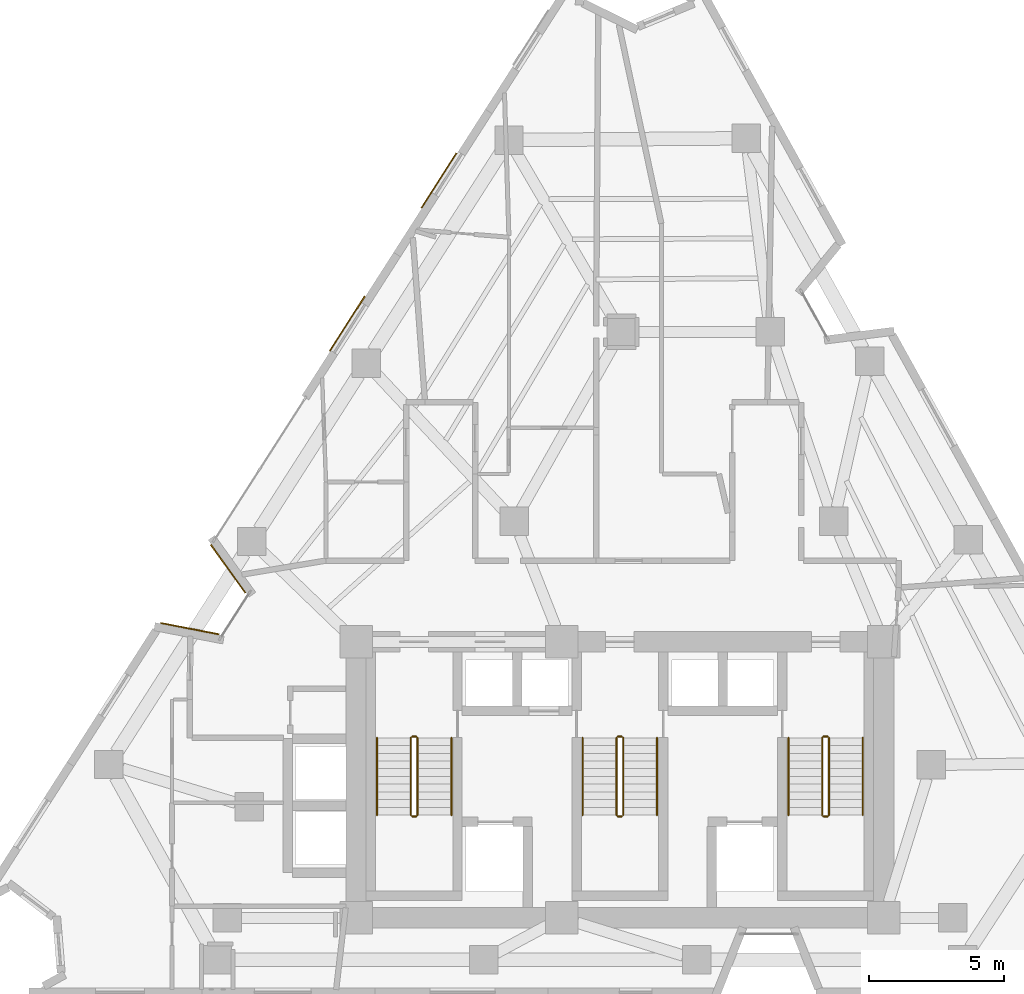
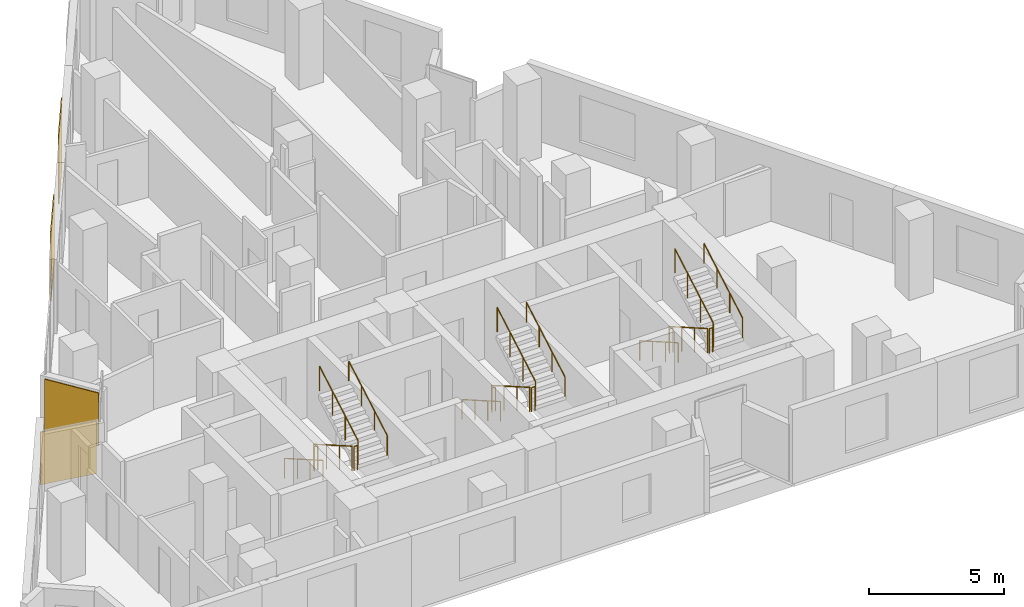
# One storey, part 10 of 11: 18 railings, 4 coverings.
"""IFC4 building model written with IfcOpenShell, lengths in metres."""

from ifc_helpers import new_model, si_unit, direction, frame, origin, origin_2d, place, context, subcontext, project, spatial, rectangle, circle, extrude, material, layer, layer_set, type_object, element, save


model = new_model("IFC4")

# Units and contexts
model_context = context("Model", 3, precision=1e-05, world=origin(), true_north=direction((0.0, 1.0)))
body_context = subcontext(model_context, "Body", "Model", "MODEL_VIEW")
ifc_project = project(units=[si_unit("LENGTHUNIT", "METRE"), si_unit("AREAUNIT", "SQUARE_METRE"), si_unit("VOLUMEUNIT", "CUBIC_METRE"), si_unit("PLANEANGLEUNIT", "RADIAN"), si_unit("MASSUNIT", "GRAM", prefix="KILO")], contexts=[model_context])

# Site, building, storey
site_placement = place(None, origin())
site = spatial("IfcSite", under=ifc_project, at=site_placement, CompositionType="ELEMENT")
building_placement = place(site_placement, origin())
building = spatial("IfcBuilding", under=site, at=building_placement, Name="Almagre Mirador Tower", CompositionType="ELEMENT")
storey_placement = place(building_placement, frame((0.0, 0.0, 157.199951171875)))
storey = spatial("IfcBuildingStorey", under=building, at=storey_placement, Name="L40", CompositionType="ELEMENT", Elevation=157.199951171875)

# Coverings
ifc_material_1 = material(Name="Almagre terracotta architectural cladding", Category="masonry")
ifc_layer = layer(ifc_material_1, 0.044921875)
ifc_layer_set = layer_set([ifc_layer], Name="Almagre terracotta architectural cladding")
covering_type = type_object("IfcCoveringType", Name="COV-CLAD-ALMAGRE", PredefinedType="CLADDING", material=ifc_layer_set)
covering_1_placement = place(storey_placement, frame((21.409912109375, 15.2353515625, 0.10009765625), z_axis=(0.0, 0.0, 1.0), x_axis=(0.981760154029, -0.190123643878, 0.0)))
element("IfcCovering", 1, at=covering_1_placement, inside=storey, type_object=covering_type, Name="L40 almagre terracotta pier cladding", PredefinedType="CLADDING", context=body_context, shape_type="SweptSolid", body=[
    extrude(rectangle(XDim=2.194091796875, YDim=0.044921875, at=origin_2d()), origin(), (0.0, 0.0, 1.0), 2.375),
])
covering_2_placement = place(storey_placement, frame((22.826416015625, 17.44482421875, 0.10009765625), z_axis=(0.0, 0.0, 1.0), x_axis=(-0.583186817535, 0.812338067466, 0.0)))
element("IfcCovering", 2, at=covering_2_placement, inside=storey, type_object=covering_type, Name="L40 almagre terracotta pier cladding", PredefinedType="CLADDING", context=body_context, shape_type="SweptSolid", body=[
    extrude(rectangle(XDim=2.193115234375, YDim=0.044921875, at=origin_2d()), origin(), (0.0, 0.0, 1.0), 2.375),
])
for number, where, z_axis, x_axis, name in (
    (3, (27.22802734375, 26.50830078125, 0.10009765625), (0.0, 0.0, 1.0), (0.539505758171, 0.841981910079, 0.0), "L40 almagre terracotta pier cladding"),
    (4, (30.615478515625, 31.794921875, 0.10009765625), (0.0, 0.0, 1.0), (0.539505758171, 0.841981910079, 0.0), "L40 almagre terracotta pier cladding"),
):
    element("IfcCovering", number, at=place(storey_placement, frame(where, z_axis=z_axis, x_axis=x_axis)), inside=storey, type_object=covering_type, Name=name, PredefinedType="CLADDING", context=body_context, shape_type="SweptSolid", body=[
        extrude(rectangle(XDim=2.39990234375, YDim=0.044921875, at=origin_2d()), origin(), (0.0, 0.0, 1.0), 3.14990234375),
    ])

# Railings
ifc_material_2 = material(Name="Painted galvanized steel", Category="steel")
railing_type_1 = type_object("IfcRailingType", Name="RLG-GRD-1100", PredefinedType="GUARDRAIL", material=ifc_material_2)
railing_1_placement = place(storey_placement, frame((29.574951171875, 11.199951171875, 0.16357421875)))
element("IfcRailing", 5, at=railing_1_placement, inside=storey, type_object=railing_type_1, Name="L40 ST-1 stair guard 1", PredefinedType="GUARDRAIL", context=body_context, shape_type="SweptSolid", body=[
    extrude(circle(Radius=0.02392578125, at=origin_2d()), frame((0.0, 0.0, 1.09619140625), z_axis=(0.0, -0.867194282975, 0.497969954491), x_axis=(1.0, 0.0, 0.0)), (0.0, 0.0, 1.0), 3.286376953125),
    extrude(circle(Radius=0.02099609375, at=origin_2d()), origin(), (0.0, 0.0, 1.0), 1.072021484375),
    extrude(circle(Radius=0.02099609375, at=origin_2d()), frame((0.0, -0.949951171875, 0.54541015625)), (0.0, 0.0, 1.0), 1.072021484375),
    extrude(circle(Radius=0.02099609375, at=origin_2d()), frame((0.0, -1.89990234375, 1.091064453125)), (0.0, 0.0, 1.0), 1.072021484375),
    extrude(circle(Radius=0.02099609375, at=origin_2d()), frame((0.0, -2.849853515625, 1.636474609375)), (0.0, 0.0, 1.0), 1.072021484375),
])
railing_2_placement = place(storey_placement, frame((29.625, 8.300048828125, 1.800048828125)))
element("IfcRailing", 6, at=railing_2_placement, inside=storey, type_object=railing_type_1, Name="L40 ST-1 stair guard 2", PredefinedType="GUARDRAIL", context=body_context, shape_type="SweptSolid", body=[
    extrude(circle(Radius=0.02392578125, at=origin_2d()), frame((0.0, 0.0, 1.09619140625), z_axis=(1.0, 0.0, 0.0), x_axis=(0.0, 1.0, 0.0)), (0.0, 0.0, 1.0), 0.14990234375),
    extrude(circle(Radius=0.02099609375, at=origin_2d()), origin(), (0.0, 0.0, 1.0), 1.072021484375),
    extrude(circle(Radius=0.02099609375, at=origin_2d()), frame((0.14990234375, 0.0, 0.0)), (0.0, 0.0, 1.0), 1.072021484375),
])
railing_3_placement = place(storey_placement, frame((29.824951171875, 8.35009765625, 1.963623046875)))
element("IfcRailing", 7, at=railing_3_placement, inside=storey, type_object=railing_type_1, Name="L40 ST-1 stair guard 3", PredefinedType="GUARDRAIL", context=body_context, shape_type="SweptSolid", body=[
    extrude(circle(Radius=0.02392578125, at=origin_2d()), frame((0.0, 0.0, 1.09619140625), z_axis=(0.0, 0.867194282975, 0.497969954491), x_axis=(-1.0, 0.0, 0.0)), (0.0, 0.0, 1.0), 3.286376953125),
    extrude(circle(Radius=0.02099609375, at=origin_2d()), origin(), (0.0, 0.0, 1.0), 1.072021484375),
    extrude(circle(Radius=0.02099609375, at=origin_2d()), frame((0.0, 0.949951171875, 0.54541015625)), (0.0, 0.0, 1.0), 1.072021484375),
    extrude(circle(Radius=0.02099609375, at=origin_2d()), frame((0.0, 1.89990234375, 1.091064453125)), (0.0, 0.0, 1.0), 1.072021484375),
    extrude(circle(Radius=0.02099609375, at=origin_2d()), frame((0.0, 2.849853515625, 1.636474609375)), (0.0, 0.0, 1.0), 1.072021484375),
])
railing_4_placement = place(storey_placement, frame((29.625, 11.25, 0.0)))
element("IfcRailing", 8, at=railing_4_placement, inside=storey, type_object=railing_type_1, Name="L40 ST-1 stair guard 4", PredefinedType="GUARDRAIL", context=body_context, shape_type="SweptSolid", body=[
    extrude(circle(Radius=0.02392578125, at=origin_2d()), frame((0.0, 0.0, 1.09619140625), z_axis=(1.0, 0.0, 0.0), x_axis=(0.0, 1.0, 0.0)), (0.0, 0.0, 1.0), 0.14990234375),
    extrude(circle(Radius=0.02099609375, at=origin_2d()), origin(), (0.0, 0.0, 1.0), 1.072021484375),
    extrude(circle(Radius=0.02099609375, at=origin_2d()), frame((0.14990234375, 0.0, 0.0)), (0.0, 0.0, 1.0), 1.072021484375),
])
railing_5_placement = place(storey_placement, frame((37.175048828125, 11.199951171875, 0.16357421875)))
element("IfcRailing", 9, at=railing_5_placement, inside=storey, type_object=railing_type_1, Name="L40 ST-2 stair guard 1", PredefinedType="GUARDRAIL", context=body_context, shape_type="SweptSolid", body=[
    extrude(circle(Radius=0.02392578125, at=origin_2d()), frame((0.0, 0.0, 1.09619140625), z_axis=(0.0, -0.867194282975, 0.497969954491), x_axis=(1.0, 0.0, 0.0)), (0.0, 0.0, 1.0), 3.286376953125),
    extrude(circle(Radius=0.02099609375, at=origin_2d()), origin(), (0.0, 0.0, 1.0), 1.072021484375),
    extrude(circle(Radius=0.02099609375, at=origin_2d()), frame((0.0, -0.949951171875, 0.54541015625)), (0.0, 0.0, 1.0), 1.072021484375),
    extrude(circle(Radius=0.02099609375, at=origin_2d()), frame((0.0, -1.89990234375, 1.091064453125)), (0.0, 0.0, 1.0), 1.072021484375),
    extrude(circle(Radius=0.02099609375, at=origin_2d()), frame((0.0, -2.849853515625, 1.636474609375)), (0.0, 0.0, 1.0), 1.072021484375),
])
railing_6_placement = place(storey_placement, frame((37.22509765625, 8.300048828125, 1.800048828125)))
element("IfcRailing", 10, at=railing_6_placement, inside=storey, type_object=railing_type_1, Name="L40 ST-2 stair guard 2", PredefinedType="GUARDRAIL", context=body_context, shape_type="SweptSolid", body=[
    extrude(circle(Radius=0.02392578125, at=origin_2d()), frame((0.0, 0.0, 1.09619140625), z_axis=(1.0, 0.0, 0.0), x_axis=(0.0, 1.0, 0.0)), (0.0, 0.0, 1.0), 0.14990234375),
    extrude(circle(Radius=0.02099609375, at=origin_2d()), origin(), (0.0, 0.0, 1.0), 1.072021484375),
    extrude(circle(Radius=0.02099609375, at=origin_2d()), frame((0.14990234375, 0.0, 0.0)), (0.0, 0.0, 1.0), 1.072021484375),
])
railing_7_placement = place(storey_placement, frame((37.425048828125, 8.35009765625, 1.963623046875)))
element("IfcRailing", 11, at=railing_7_placement, inside=storey, type_object=railing_type_1, Name="L40 ST-2 stair guard 3", PredefinedType="GUARDRAIL", context=body_context, shape_type="SweptSolid", body=[
    extrude(circle(Radius=0.02392578125, at=origin_2d()), frame((0.0, 0.0, 1.09619140625), z_axis=(0.0, 0.867194282975, 0.497969954491), x_axis=(-1.0, 0.0, 0.0)), (0.0, 0.0, 1.0), 3.286376953125),
    extrude(circle(Radius=0.02099609375, at=origin_2d()), origin(), (0.0, 0.0, 1.0), 1.072021484375),
    extrude(circle(Radius=0.02099609375, at=origin_2d()), frame((0.0, 0.949951171875, 0.54541015625)), (0.0, 0.0, 1.0), 1.072021484375),
    extrude(circle(Radius=0.02099609375, at=origin_2d()), frame((0.0, 1.89990234375, 1.091064453125)), (0.0, 0.0, 1.0), 1.072021484375),
    extrude(circle(Radius=0.02099609375, at=origin_2d()), frame((0.0, 2.849853515625, 1.636474609375)), (0.0, 0.0, 1.0), 1.072021484375),
])
railing_8_placement = place(storey_placement, frame((37.22509765625, 11.25, 0.0)))
element("IfcRailing", 12, at=railing_8_placement, inside=storey, type_object=railing_type_1, Name="L40 ST-2 stair guard 4", PredefinedType="GUARDRAIL", context=body_context, shape_type="SweptSolid", body=[
    extrude(circle(Radius=0.02392578125, at=origin_2d()), frame((0.0, 0.0, 1.09619140625), z_axis=(1.0, 0.0, 0.0), x_axis=(0.0, 1.0, 0.0)), (0.0, 0.0, 1.0), 0.14990234375),
    extrude(circle(Radius=0.02099609375, at=origin_2d()), origin(), (0.0, 0.0, 1.0), 1.072021484375),
    extrude(circle(Radius=0.02099609375, at=origin_2d()), frame((0.14990234375, 0.0, 0.0)), (0.0, 0.0, 1.0), 1.072021484375),
])
railing_9_placement = place(storey_placement, frame((44.77490234375, 11.199951171875, 0.16357421875)))
element("IfcRailing", 13, at=railing_9_placement, inside=storey, type_object=railing_type_1, Name="L40 ST-3 stair guard 1", PredefinedType="GUARDRAIL", context=body_context, shape_type="SweptSolid", body=[
    extrude(circle(Radius=0.02392578125, at=origin_2d()), frame((0.0, 0.0, 1.09619140625), z_axis=(0.0, -0.867194282975, 0.497969954491), x_axis=(1.0, 0.0, 0.0)), (0.0, 0.0, 1.0), 3.286376953125),
    extrude(circle(Radius=0.02099609375, at=origin_2d()), origin(), (0.0, 0.0, 1.0), 1.072021484375),
    extrude(circle(Radius=0.02099609375, at=origin_2d()), frame((0.0, -0.949951171875, 0.54541015625)), (0.0, 0.0, 1.0), 1.072021484375),
    extrude(circle(Radius=0.02099609375, at=origin_2d()), frame((0.0, -1.89990234375, 1.091064453125)), (0.0, 0.0, 1.0), 1.072021484375),
    extrude(circle(Radius=0.02099609375, at=origin_2d()), frame((0.0, -2.849853515625, 1.636474609375)), (0.0, 0.0, 1.0), 1.072021484375),
])
railing_10_placement = place(storey_placement, frame((44.824951171875, 8.300048828125, 1.800048828125)))
element("IfcRailing", 14, at=railing_10_placement, inside=storey, type_object=railing_type_1, Name="L40 ST-3 stair guard 2", PredefinedType="GUARDRAIL", context=body_context, shape_type="SweptSolid", body=[
    extrude(circle(Radius=0.02392578125, at=origin_2d()), frame((0.0, 0.0, 1.09619140625), z_axis=(1.0, 0.0, 0.0), x_axis=(0.0, 1.0, 0.0)), (0.0, 0.0, 1.0), 0.150146484375),
    extrude(circle(Radius=0.02099609375, at=origin_2d()), origin(), (0.0, 0.0, 1.0), 1.072021484375),
    extrude(circle(Radius=0.02099609375, at=origin_2d()), frame((0.150146484375, 0.0, 0.0)), (0.0, 0.0, 1.0), 1.072021484375),
])
railing_11_placement = place(storey_placement, frame((45.02490234375, 8.35009765625, 1.963623046875)))
element("IfcRailing", 15, at=railing_11_placement, inside=storey, type_object=railing_type_1, Name="L40 ST-3 stair guard 3", PredefinedType="GUARDRAIL", context=body_context, shape_type="SweptSolid", body=[
    extrude(circle(Radius=0.02392578125, at=origin_2d()), frame((0.0, 0.0, 1.09619140625), z_axis=(0.0, 0.867194282975, 0.497969954491), x_axis=(-1.0, 0.0, 0.0)), (0.0, 0.0, 1.0), 3.286376953125),
    extrude(circle(Radius=0.02099609375, at=origin_2d()), origin(), (0.0, 0.0, 1.0), 1.072021484375),
    extrude(circle(Radius=0.02099609375, at=origin_2d()), frame((0.0, 0.949951171875, 0.54541015625)), (0.0, 0.0, 1.0), 1.072021484375),
    extrude(circle(Radius=0.02099609375, at=origin_2d()), frame((0.0, 1.89990234375, 1.091064453125)), (0.0, 0.0, 1.0), 1.072021484375),
    extrude(circle(Radius=0.02099609375, at=origin_2d()), frame((0.0, 2.849853515625, 1.636474609375)), (0.0, 0.0, 1.0), 1.072021484375),
])
railing_12_placement = place(storey_placement, frame((44.824951171875, 11.25, 0.0)))
element("IfcRailing", 16, at=railing_12_placement, inside=storey, type_object=railing_type_1, Name="L40 ST-3 stair guard 4", PredefinedType="GUARDRAIL", context=body_context, shape_type="SweptSolid", body=[
    extrude(circle(Radius=0.02392578125, at=origin_2d()), frame((0.0, 0.0, 1.09619140625), z_axis=(1.0, 0.0, 0.0), x_axis=(0.0, 1.0, 0.0)), (0.0, 0.0, 1.0), 0.150146484375),
    extrude(circle(Radius=0.02099609375, at=origin_2d()), origin(), (0.0, 0.0, 1.0), 1.072021484375),
    extrude(circle(Radius=0.02099609375, at=origin_2d()), frame((0.150146484375, 0.0, 0.0)), (0.0, 0.0, 1.0), 1.072021484375),
])
ifc_material_3 = material(Name="Brushed stainless steel", Category="steel")
railing_type_2 = type_object("IfcRailingType", Name="RLG-HND-915", PredefinedType="HANDRAIL", material=ifc_material_3)
railing_13_placement = place(storey_placement, frame((28.324951171875, 11.199951171875, 0.16357421875)))
element("IfcRailing", 17, at=railing_13_placement, inside=storey, type_object=railing_type_2, Name="L40 ST-1 stair handrail 1", PredefinedType="HANDRAIL", context=body_context, shape_type="SweptSolid", body=[
    extrude(circle(Radius=0.02392578125, at=origin_2d()), frame((0.0, 0.0, 0.89111328125), z_axis=(0.0, -0.867194282975, 0.497969954491), x_axis=(1.0, 0.0, 0.0)), (0.0, 0.0, 1.0), 3.286376953125),
    extrude(circle(Radius=0.02099609375, at=origin_2d()), origin(), (0.0, 0.0, 1.0), 0.866943359375),
    extrude(circle(Radius=0.02099609375, at=origin_2d()), frame((0.0, -0.949951171875, 0.54541015625)), (0.0, 0.0, 1.0), 0.866943359375),
    extrude(circle(Radius=0.02099609375, at=origin_2d()), frame((0.0, -1.89990234375, 1.091064453125)), (0.0, 0.0, 1.0), 0.866943359375),
    extrude(circle(Radius=0.02099609375, at=origin_2d()), frame((0.0, -2.849853515625, 1.636474609375)), (0.0, 0.0, 1.0), 0.866943359375),
])
railing_14_placement = place(storey_placement, frame((31.074951171875, 8.35009765625, 1.963623046875)))
element("IfcRailing", 18, at=railing_14_placement, inside=storey, type_object=railing_type_2, Name="L40 ST-1 stair handrail 2", PredefinedType="HANDRAIL", context=body_context, shape_type="SweptSolid", body=[
    extrude(circle(Radius=0.02392578125, at=origin_2d()), frame((0.0, 0.0, 0.89111328125), z_axis=(0.0, 0.867194282975, 0.497969954491), x_axis=(-1.0, 0.0, 0.0)), (0.0, 0.0, 1.0), 3.286376953125),
    extrude(circle(Radius=0.02099609375, at=origin_2d()), origin(), (0.0, 0.0, 1.0), 0.866943359375),
    extrude(circle(Radius=0.02099609375, at=origin_2d()), frame((0.0, 0.949951171875, 0.54541015625)), (0.0, 0.0, 1.0), 0.866943359375),
    extrude(circle(Radius=0.02099609375, at=origin_2d()), frame((0.0, 1.89990234375, 1.091064453125)), (0.0, 0.0, 1.0), 0.866943359375),
    extrude(circle(Radius=0.02099609375, at=origin_2d()), frame((0.0, 2.849853515625, 1.636474609375)), (0.0, 0.0, 1.0), 0.866943359375),
])
railing_15_placement = place(storey_placement, frame((35.925048828125, 11.199951171875, 0.16357421875)))
element("IfcRailing", 19, at=railing_15_placement, inside=storey, type_object=railing_type_2, Name="L40 ST-2 stair handrail 1", PredefinedType="HANDRAIL", context=body_context, shape_type="SweptSolid", body=[
    extrude(circle(Radius=0.02392578125, at=origin_2d()), frame((0.0, 0.0, 0.89111328125), z_axis=(0.0, -0.867194282975, 0.497969954491), x_axis=(1.0, 0.0, 0.0)), (0.0, 0.0, 1.0), 3.286376953125),
    extrude(circle(Radius=0.02099609375, at=origin_2d()), origin(), (0.0, 0.0, 1.0), 0.866943359375),
    extrude(circle(Radius=0.02099609375, at=origin_2d()), frame((0.0, -0.949951171875, 0.54541015625)), (0.0, 0.0, 1.0), 0.866943359375),
    extrude(circle(Radius=0.02099609375, at=origin_2d()), frame((0.0, -1.89990234375, 1.091064453125)), (0.0, 0.0, 1.0), 0.866943359375),
    extrude(circle(Radius=0.02099609375, at=origin_2d()), frame((0.0, -2.849853515625, 1.636474609375)), (0.0, 0.0, 1.0), 0.866943359375),
])
railing_16_placement = place(storey_placement, frame((38.675048828125, 8.35009765625, 1.963623046875)))
element("IfcRailing", 20, at=railing_16_placement, inside=storey, type_object=railing_type_2, Name="L40 ST-2 stair handrail 2", PredefinedType="HANDRAIL", context=body_context, shape_type="SweptSolid", body=[
    extrude(circle(Radius=0.02392578125, at=origin_2d()), frame((0.0, 0.0, 0.89111328125), z_axis=(0.0, 0.867194282975, 0.497969954491), x_axis=(-1.0, 0.0, 0.0)), (0.0, 0.0, 1.0), 3.286376953125),
    extrude(circle(Radius=0.02099609375, at=origin_2d()), origin(), (0.0, 0.0, 1.0), 0.866943359375),
    extrude(circle(Radius=0.02099609375, at=origin_2d()), frame((0.0, 0.949951171875, 0.54541015625)), (0.0, 0.0, 1.0), 0.866943359375),
    extrude(circle(Radius=0.02099609375, at=origin_2d()), frame((0.0, 1.89990234375, 1.091064453125)), (0.0, 0.0, 1.0), 0.866943359375),
    extrude(circle(Radius=0.02099609375, at=origin_2d()), frame((0.0, 2.849853515625, 1.636474609375)), (0.0, 0.0, 1.0), 0.866943359375),
])
railing_17_placement = place(storey_placement, frame((43.52490234375, 11.199951171875, 0.16357421875)))
element("IfcRailing", 21, at=railing_17_placement, inside=storey, type_object=railing_type_2, Name="L40 ST-3 stair handrail 1", PredefinedType="HANDRAIL", context=body_context, shape_type="SweptSolid", body=[
    extrude(circle(Radius=0.02392578125, at=origin_2d()), frame((0.0, 0.0, 0.89111328125), z_axis=(0.0, -0.867194282975, 0.497969954491), x_axis=(1.0, 0.0, 0.0)), (0.0, 0.0, 1.0), 3.286376953125),
    extrude(circle(Radius=0.02099609375, at=origin_2d()), origin(), (0.0, 0.0, 1.0), 0.866943359375),
    extrude(circle(Radius=0.02099609375, at=origin_2d()), frame((0.0, -0.949951171875, 0.54541015625)), (0.0, 0.0, 1.0), 0.866943359375),
    extrude(circle(Radius=0.02099609375, at=origin_2d()), frame((0.0, -1.89990234375, 1.091064453125)), (0.0, 0.0, 1.0), 0.866943359375),
    extrude(circle(Radius=0.02099609375, at=origin_2d()), frame((0.0, -2.849853515625, 1.636474609375)), (0.0, 0.0, 1.0), 0.866943359375),
])
railing_18_placement = place(storey_placement, frame((46.27490234375, 8.35009765625, 1.963623046875)))
element("IfcRailing", 22, at=railing_18_placement, inside=storey, type_object=railing_type_2, Name="L40 ST-3 stair handrail 2", PredefinedType="HANDRAIL", context=body_context, shape_type="SweptSolid", body=[
    extrude(circle(Radius=0.02392578125, at=origin_2d()), frame((0.0, 0.0, 0.89111328125), z_axis=(0.0, 0.867194282975, 0.497969954491), x_axis=(-1.0, 0.0, 0.0)), (0.0, 0.0, 1.0), 3.286376953125),
    extrude(circle(Radius=0.02099609375, at=origin_2d()), origin(), (0.0, 0.0, 1.0), 0.866943359375),
    extrude(circle(Radius=0.02099609375, at=origin_2d()), frame((0.0, 0.949951171875, 0.54541015625)), (0.0, 0.0, 1.0), 0.866943359375),
    extrude(circle(Radius=0.02099609375, at=origin_2d()), frame((0.0, 1.89990234375, 1.091064453125)), (0.0, 0.0, 1.0), 0.866943359375),
    extrude(circle(Radius=0.02099609375, at=origin_2d()), frame((0.0, 2.849853515625, 1.636474609375)), (0.0, 0.0, 1.0), 0.866943359375),
])

save(model, "model.ifc")
